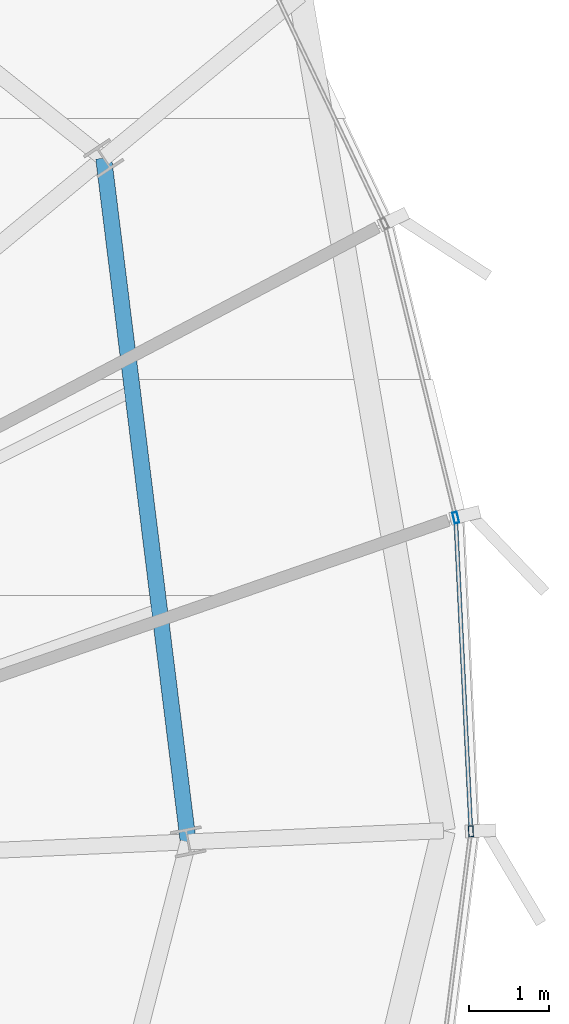
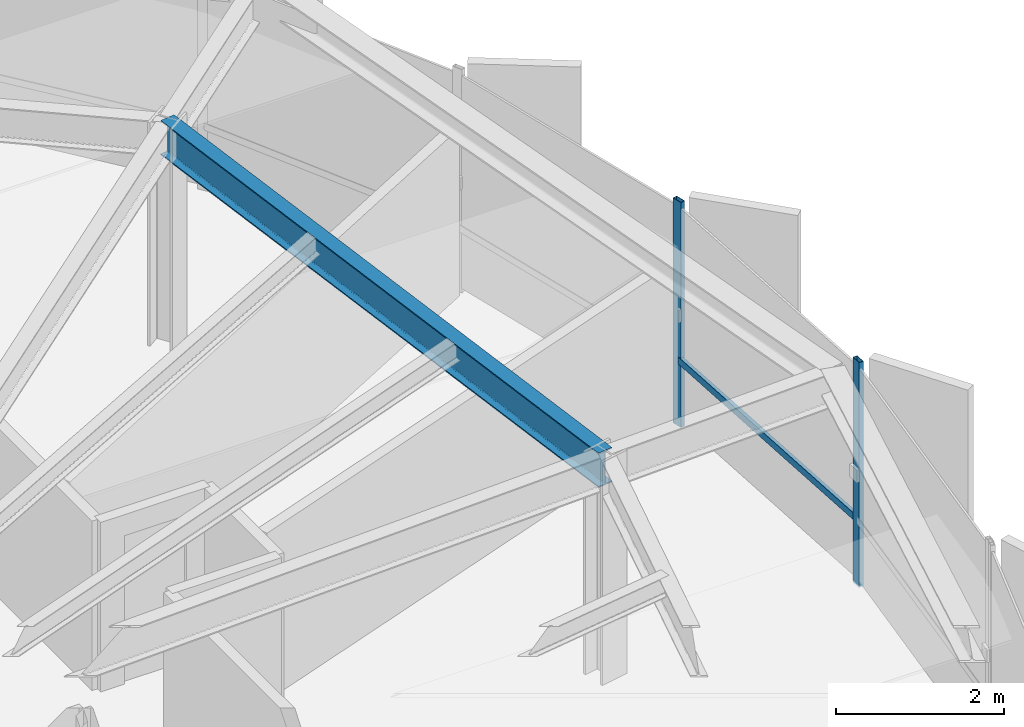
# One storey, part 17 of 33: 3 members, 1 beam, 1 element without a shape of its own.
"""IFC4 building model written with IfcOpenShell, lengths in metres."""

from ifc_helpers import new_model, si_unit, direction, frame, origin, origin_2d, place, context, subcontext, project, spatial, hollow_rectangle, i_section, extrude, source, transform, mapped, material, layer, layer_set, material_profile, profile_set, type_object, element, aggregate, save


model = new_model("IFC4")

# Units and contexts
model_context = context("Model", 3, precision=1e-05, world=origin(), true_north=direction((0.0, 1.0)))
body_context = subcontext(model_context, "Body", "Model", "MODEL_VIEW")
ifc_project = project(units=[si_unit("LENGTHUNIT", "METRE"), si_unit("AREAUNIT", "SQUARE_METRE"), si_unit("VOLUMEUNIT", "CUBIC_METRE"), si_unit("PLANEANGLEUNIT", "RADIAN"), si_unit("MASSUNIT", "GRAM", prefix="KILO"), si_unit("THERMODYNAMICTEMPERATUREUNIT", "KELVIN")], contexts=[model_context])

# Site, building, storey
site_placement = place(None, origin())
site = spatial("IfcSite", under=ifc_project, at=site_placement, CompositionType="ELEMENT")
building_placement = place(site_placement, origin())
building = spatial("IfcBuilding", under=site, at=building_placement, Name="Kethvar Cultural Tower", CompositionType="ELEMENT")
storey_placement = place(building_placement, frame((0.0, 0.0, 211.39990234375)))
storey = spatial("IfcBuildingStorey", under=building, at=storey_placement, Name="L55", CompositionType="ELEMENT", Elevation=211.39990234375)

# Beam
ifc_material_1 = material(Name="Steel S355J2", Category="steel")
ifc_material_profile_1 = material_profile(ifc_material_1, i_section(OverallWidth=0.199951171875, OverallDepth=0.5, WebThickness=0.01025390625, FlangeThickness=0.01611328125, FilletRadius=0.02099609375, at=origin_2d()), Name="Steel S355J2 — IPE500")
ifc_profile_set_1 = profile_set([ifc_material_profile_1], Name="Steel S355J2 — IPE500")
beam_type = type_object("IfcBeamType", Name="BM-IPE500", PredefinedType="BEAM", material=ifc_profile_set_1)
shared_shape_1 = source(origin(), body_context, "Body", "SweptSolid", [
    extrude(i_section(OverallWidth=0.199951171875, OverallDepth=0.5, WebThickness=0.01025390625, FlangeThickness=0.01611328125, FilletRadius=0.02099609375, at=origin_2d()), origin(), (0.0, 0.0, 1.0), 8.6318359375),
])
beam_placement = place(storey_placement, frame((66.56396484375, 31.731201171875, 3.008056640625), z_axis=(-0.122781430908, 0.992433735936, 0.0), x_axis=(-0.992433735936, -0.122781430908, 0.0)))
element("IfcBeam", 1, at=beam_placement, inside=storey, type_object=beam_type, Name="L55 Column Ring Tie Beam CR-01", PredefinedType="BEAM", context=body_context, shape_type="MappedRepresentation", body=[
    mapped(shared_shape_1, transform((0.0, 0.0, 0.0), scale=1.0)),
])

# Curtain wall, members
ifc_material_2 = material(Name="Aluminium 6063-T6", Category="aluminium")
ifc_layer = layer(ifc_material_2, 0.179931640625, Name="Aluminium 6063-T6", Category="aluminium")
ifc_layer_set = layer_set([ifc_layer], Name="Aluminium 6063-T6 (180 mm)")
curtain_wall_type = type_object("IfcCurtainWallType", Name="CW-SYS-04-Z34", PredefinedType="NOTDEFINED", material=ifc_layer_set)
curtain_wall_placement = place(storey_placement, origin())
curtain_wall = element("IfcCurtainWall", 2, at=curtain_wall_placement, inside=storey, type_object=curtain_wall_type, Name="L55 Curtain Wall Run 06", PredefinedType="NOTDEFINED")
ifc_material_profile_2 = material_profile(ifc_material_2, hollow_rectangle(XDim=0.06005859375, YDim=0.139892578125, WallThickness=0.0048828125, at=origin_2d()), Name="Aluminium 6063-T6 — RHS140x60x5")
ifc_profile_set_2 = profile_set([ifc_material_profile_2], Name="Aluminium 6063-T6 — RHS140x60x5")
member_type_1 = type_object("IfcMemberType", Name="CW-SYS-04-Z34-MUL", PredefinedType="MULLION", material=ifc_profile_set_2)
shared_shape_2 = source(origin(), body_context, "Body", "SweptSolid", [
    extrude(hollow_rectangle(XDim=0.06005859375, YDim=0.139892578125, WallThickness=0.0048828125, at=origin_2d()), origin(), (0.0, 0.0, 1.0), 3.260009765625),
])
member_1_placement = place(storey_placement, frame((70.10546875, 31.863525390625, 0.0), z_axis=(0.0, 0.0, 1.0), x_axis=(-0.998818891953, -0.048588281289, 0.0)))
member_1 = element("IfcMember", 3, at=member_1_placement, type_object=member_type_1, Name="CW-L55-R06 Mullion 2", PredefinedType="MULLION", context=body_context, shape_type="MappedRepresentation", body=[
    mapped(shared_shape_2, transform((0.0, 0.0, 0.0), scale=1.0)),
])
member_2_placement = place(storey_placement, frame((69.916259765625, 35.79345703125, 0.0), z_axis=(0.0, 0.0, 1.0), x_axis=(-0.971788371283, -0.235854534488, 0.0)))
member_2 = element("IfcMember", 4, at=member_2_placement, type_object=member_type_1, Name="CW-L55-R06 Mullion 3", PredefinedType="MULLION", context=body_context, shape_type="MappedRepresentation", body=[
    mapped(shared_shape_2, transform((0.0, 0.0, 0.0), scale=1.0)),
])
ifc_material_profile_3 = material_profile(ifc_material_2, hollow_rectangle(XDim=0.050048828125, YDim=0.10009765625, WallThickness=0.00390625, at=origin_2d()), Name="Aluminium 6063-T6 — RHS100x50x4")
ifc_profile_set_3 = profile_set([ifc_material_profile_3], Name="Aluminium 6063-T6 — RHS100x50x4")
member_type_2 = type_object("IfcMemberType", Name="CW-SYS-04-Z34-TRN", PredefinedType="USERDEFINED", material=ifc_profile_set_3)
shared_shape_3 = source(origin(), body_context, "Body", "SweptSolid", [
    extrude(hollow_rectangle(XDim=0.050048828125, YDim=0.10009765625, WallThickness=0.00390625, at=origin_2d()), origin(), (0.0, 0.0, 1.0), 3.868896484375),
])
member_3_placement = place(storey_placement, frame((70.103515625, 31.906494140625, 0.9501953125), z_axis=(-0.048653457138, 0.998815719294, 0.0), x_axis=(-0.998815719294, -0.048653457138, 0.0)))
member_3 = element("IfcMember", 5, at=member_3_placement, type_object=member_type_2, Name="CW-L55-R06 Transom 2", ObjectType="TRANSOM", PredefinedType="USERDEFINED", context=body_context, shape_type="MappedRepresentation", body=[
    mapped(shared_shape_3, transform((0.0, 0.0, 0.0), scale=1.0)),
])
aggregate(curtain_wall, [member_1, member_2, member_3])

save(model, "model.ifc")
